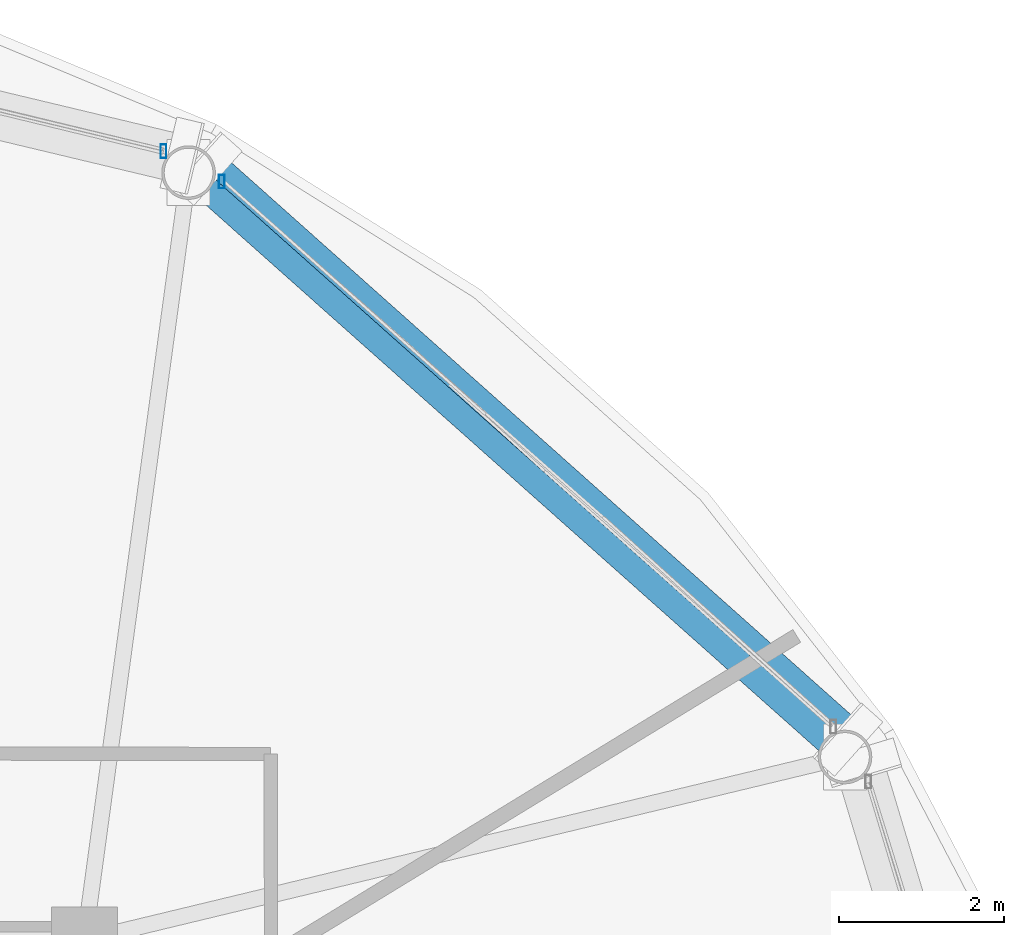
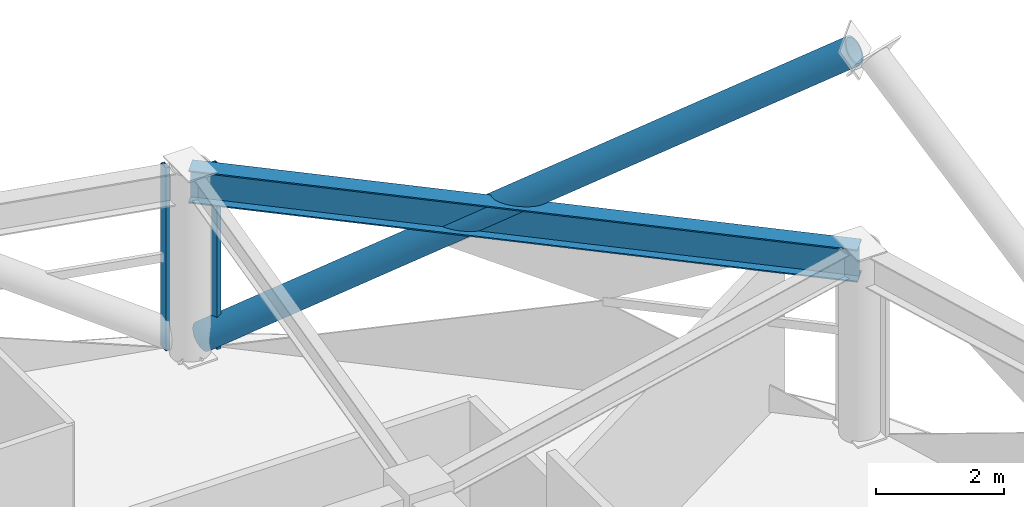
# One storey, part 19 of 28: 3 members, 1 beam, 2 elements without a shape of their own.
"""IFC4 building model written with IfcOpenShell, lengths in metres."""

import ifcopenshell
import ifcopenshell.guid

model = None  # the IFC model being written
_history = None  # IfcOwnerHistory: only IFC2X3 demands one
_inside = {}  # id of a spatial element -> (the spatial element, [elements in it])
_under = {}  # id of a project, library or spatial element -> (it, [spatial elements below it])
_declared = {}  # id of a project -> (the project, [libraries it declares])
_typed = {}  # id of a type object -> (the type object, [elements of that type])
_made_of = {}  # id of a material, layer set ... -> (it, [elements and type objects made of it])


def new_model(schema):
    """Start an empty IFC model of exactly this schema.

    Asked for "IFC4X3", IfcOpenShell would pick the latest addendum, in which some entities
    have other attributes; the version numbers below select the first issue.
    IFC2X3 requires an IfcOwnerHistory on every rooted entity: one is made here for all.
    """
    global model, _history
    if schema == "IFC4X3":
        model = ifcopenshell.file(schema_version=(4, 3, 0, 0))
    else:
        model = ifcopenshell.file(schema=schema)
    _inside.clear()
    _under.clear()
    _declared.clear()
    _typed.clear()
    _made_of.clear()
    _history = None
    if model.schema == "IFC2X3":
        org = make("IfcOrganization", Name="unknown")
        user = make(
            "IfcPersonAndOrganization",
            ThePerson=make("IfcPerson", FamilyName="unknown"),
            TheOrganization=org,
        )
        app = make(
            "IfcApplication",
            ApplicationDeveloper=org,
            Version="unknown",
            ApplicationFullName="unknown",
            ApplicationIdentifier="unknown",
        )
        _history = make(
            "IfcOwnerHistory",
            OwningUser=user,
            OwningApplication=app,
            ChangeAction="ADDED",
            CreationDate=0,
        )
    return model


def make(cls, **values):
    """One entity of the class cls with the attributes given. An attribute that is None is left unset."""
    return model.create_entity(
        cls, **{name: value for name, value in values.items() if value is not None}
    )


def rooted(cls, **values):
    """An entity with a GlobalId (a new one), such as an element, a storey or a relation."""
    return make(cls, GlobalId=ifcopenshell.guid.new(), OwnerHistory=_history, **values)


def si_unit(unit_type, name, prefix=None):
    """IfcSIUnit, for example si_unit("LENGTHUNIT", "METRE", prefix="MILLI")."""
    return make("IfcSIUnit", UnitType=unit_type, Prefix=prefix, Name=name)


def assignment(units):
    """IfcUnitAssignment: the units of a project."""
    return None if units is None else make("IfcUnitAssignment", Units=units)


def point(xyz):
    """IfcCartesianPoint."""
    return None if xyz is None else make("IfcCartesianPoint", Coordinates=xyz)


def direction(xyz):
    """IfcDirection."""
    return None if xyz is None else make("IfcDirection", DirectionRatios=xyz)


def frame(location, z_axis=None, x_axis=None):
    """IfcAxis2Placement3D, a coordinate frame: its origin and axes. An axis left out is left unset."""
    return make(
        "IfcAxis2Placement3D",
        Location=point(location),
        Axis=direction(z_axis),
        RefDirection=direction(x_axis),
    )


def frame_2d(location, x_axis=None):
    """IfcAxis2Placement2D, a coordinate frame in the plane: its origin and x axis."""
    return make(
        "IfcAxis2Placement2D", Location=point(location), RefDirection=direction(x_axis)
    )


def origin():
    """The frame at (0, 0, 0) with its axes left unset."""
    return frame((0.0, 0.0, 0.0))


def origin_2d():
    """The frame at (0, 0) in the plane with its x axis left unset."""
    return frame_2d((0.0, 0.0))


def place(relative_to, where):
    """IfcLocalPlacement: puts the frame where relative to a parent placement (None: the world)."""
    return make(
        "IfcLocalPlacement", PlacementRelTo=relative_to, RelativePlacement=where
    )


def context(
    kind, dimensions, precision=None, world=None, true_north=None, identifier=None
):
    """IfcGeometricRepresentationContext, for example the 3D "Model" context."""
    return make(
        "IfcGeometricRepresentationContext",
        ContextIdentifier=identifier,
        ContextType=kind,
        CoordinateSpaceDimension=dimensions,
        Precision=precision,
        WorldCoordinateSystem=world,
        TrueNorth=true_north,
    )


def subcontext(parent, identifier, kind, view, scale=None):
    """IfcGeometricRepresentationSubContext, for example "Body" below "Model"."""
    return make(
        "IfcGeometricRepresentationSubContext",
        ContextIdentifier=identifier,
        ContextType=kind,
        ParentContext=parent,
        TargetScale=scale,
        TargetView=view,
    )


def project(units=None, contexts=None):
    """IfcProject with its units and contexts."""
    return rooted(
        "IfcProject",
        Name="project",
        RepresentationContexts=contexts,
        UnitsInContext=assignment(units),
    )


def spatial(cls, under=None, at=None, **own):
    """A site, building, storey or space (cls), placed at a placement, below another one or the project."""
    s = rooted(cls, ObjectPlacement=at, **own)
    if under is not None:
        _under.setdefault(under.id(), (under, []))[1].append(s)
    return s


def profile(cls, at=None, kind="AREA", **sizes):
    """A parametric profile (cls). Its sizes go by their IFC names, for example OverallWidth=200.0."""
    return make(cls, ProfileType=kind, Position=at, **sizes)


def hollow_rectangle(**sizes):
    """IfcRectangleHollowProfileDef."""
    return profile("IfcRectangleHollowProfileDef", **sizes)


def hollow_circle(**sizes):
    """IfcCircleHollowProfileDef."""
    return profile("IfcCircleHollowProfileDef", **sizes)


def i_section(**sizes):
    """IfcIShapeProfileDef."""
    return profile("IfcIShapeProfileDef", **sizes)


def extrude(swept, where, along, depth):
    """IfcExtrudedAreaSolid: the profile swept, set in the frame where, extruded along a direction by depth."""
    return make(
        "IfcExtrudedAreaSolid",
        SweptArea=swept,
        Position=where,
        ExtrudedDirection=direction(along),
        Depth=depth,
    )


def shape(context_of_items, identifier, shape_type, items):
    """IfcShapeRepresentation: the items that make up one representation, for example the "Body"."""
    return make(
        "IfcShapeRepresentation",
        ContextOfItems=context_of_items,
        RepresentationIdentifier=identifier,
        RepresentationType=shape_type,
        Items=items,
    )


def material(Name=None, Category=None):
    """IfcMaterial."""
    return make("IfcMaterial", Name=Name, Category=Category)


def layer(
    of_material, thickness, ventilated=None, Name=None, Category=None, Priority=None
):
    """IfcMaterialLayer: one layer of a wall or slab, of a material (None: an air gap)."""
    return make(
        "IfcMaterialLayer",
        Material=of_material,
        LayerThickness=thickness,
        IsVentilated=ventilated,
        Name=Name,
        Category=Category,
        Priority=Priority,
    )


def layer_set(layers, Name=None):
    """IfcMaterialLayerSet."""
    return make("IfcMaterialLayerSet", MaterialLayers=layers, LayerSetName=Name)


def material_profile(
    of_material, cross_section, Name=None, Category=None, Priority=None
):
    """IfcMaterialProfile: a cross section and its material."""
    return make(
        "IfcMaterialProfile",
        Name=Name,
        Material=of_material,
        Profile=cross_section,
        Priority=Priority,
        Category=Category,
    )


def profile_set(profiles, Name=None, composite=None):
    """IfcMaterialProfileSet."""
    return make(
        "IfcMaterialProfileSet",
        Name=Name,
        MaterialProfiles=profiles,
        CompositeProfile=composite,
    )


def made_of(thing, what):
    """Note that an element or type object is made of a material, layer set ...; save() writes the relation."""
    if what is not None:
        _made_of.setdefault(what.id(), (what, []))[1].append(thing)
    return thing


def type_object(cls, material=None, **own):
    """A type object (cls), such as IfcWallType, which elements share."""
    return made_of(rooted(cls, **own), material)


def element(
    cls,
    number,
    at=None,
    inside=None,
    cuts=None,
    type_object=None,
    material=None,
    context=None,
    identifier="Body",
    shape_type=None,
    held_by="IfcProductDefinitionShape",
    body=None,
    shapes=None,
    **own,
):
    """One element of the class cls, such as IfcWall. Its Tag is "e" and its number.

    at: its placement. inside: the storey or other place that contains it. cuts: it is an
    opening in that element (IfcRelVoidsElement). A single representation is given by context,
    identifier, shape_type and body (its items); several are given by shapes. held_by: the class
    of the entity that holds the representations. save() writes the other relations.
    """
    e = rooted(cls, Tag="e%d" % number, ObjectPlacement=at, **own)
    if body is not None:
        shapes = [shape(context, identifier, shape_type, body)]
    if shapes is not None:
        e.Representation = make(held_by, Representations=shapes)
    if inside is not None:
        _inside.setdefault(inside.id(), (inside, []))[1].append(e)
    if cuts is not None:
        rooted(
            "IfcRelVoidsElement", RelatingBuildingElement=cuts, RelatedOpeningElement=e
        )
    if type_object is not None:
        _typed.setdefault(type_object.id(), (type_object, []))[1].append(e)
    return made_of(e, material)


def aggregate(whole, parts):
    """IfcRelAggregates: a whole, such as a stair, and the parts it consists of."""
    return rooted("IfcRelAggregates", RelatingObject=whole, RelatedObjects=parts)


def save(model, path):
    """Write the relations noted so far, then the file.

    IfcRelAggregates (storeys below a building ...), IfcRelContainedInSpatialStructure (elements
    in a storey), IfcRelDefinesByType, IfcRelAssociatesMaterial and IfcRelDeclares: one each for
    every whole, place, type object, material and project.
    """
    for whole, parts in _under.values():
        aggregate(whole, parts)
    for where, things in _inside.values():
        rooted(
            "IfcRelContainedInSpatialStructure",
            RelatedElements=things,
            RelatingStructure=where,
        )
    for kind, things in _typed.values():
        rooted("IfcRelDefinesByType", RelatedObjects=things, RelatingType=kind)
    for what, things in _made_of.values():
        rooted("IfcRelAssociatesMaterial", RelatedObjects=things, RelatingMaterial=what)
    for by, libraries in _declared.values():
        rooted("IfcRelDeclares", RelatingContext=by, RelatedDefinitions=libraries)
    model.write(path)


model = new_model("IFC4")

# Units and contexts
model_context = context("Model", 3, precision=1e-05, world=origin(), true_north=direction((0.0, 1.0)))
body_context = subcontext(model_context, "Body", "Model", "MODEL_VIEW")
ifc_project = project(units=[si_unit("LENGTHUNIT", "METRE"), si_unit("AREAUNIT", "SQUARE_METRE"), si_unit("VOLUMEUNIT", "CUBIC_METRE"), si_unit("PLANEANGLEUNIT", "RADIAN"), si_unit("MASSUNIT", "GRAM", prefix="KILO")], contexts=[model_context])

# Site, building, storey
site_placement = place(None, origin())
site = spatial("IfcSite", under=ifc_project, at=site_placement, CompositionType="ELEMENT")
building_placement = place(site_placement, origin())
building = spatial("IfcBuilding", under=site, at=building_placement, Name="Vantalir Tower", CompositionType="ELEMENT")
storey_placement = place(building_placement, frame((0.0, 0.0, 242.39990234375)))
storey = spatial("IfcBuildingStorey", under=building, at=storey_placement, Name="L61", CompositionType="ELEMENT", Elevation=242.39990234375)

# Beam
ifc_material_1 = material(Name="Steel S460", Category="steel")
ifc_material_profile_1 = material_profile(ifc_material_1, i_section(OverallWidth=0.306884765625, OverallDepth=0.6201171875, WebThickness=0.01416015625, FlangeThickness=0.023681640625, at=origin_2d()), Name="Steel S460")
ifc_profile_set_1 = profile_set([ifc_material_profile_1], Name="Steel S460")
beam_type = type_object("IfcBeamType", Name="BM-RG-610x305", PredefinedType="USERDEFINED", material=ifc_profile_set_1)
beam_placement = place(storey_placement, frame((50.30810546875, 34.666015625, 3.260009765625), z_axis=(-0.746899058065, 0.664937438456, 0.0), x_axis=(-0.664937438456, -0.746899058065, 0.0)))
element("IfcBeam", 1, at=beam_placement, inside=storey, type_object=beam_type, Name="L61 Circumferential Ring Girder 02", ObjectType="GIRDER", PredefinedType="USERDEFINED", context=body_context, shape_type="SweptSolid", body=[
    extrude(i_section(OverallWidth=0.306884765625, OverallDepth=0.6201171875, WebThickness=0.01416015625, FlangeThickness=0.023681640625, at=origin_2d()), origin(), (0.0, 0.0, 1.0), 10.64306640625),
])

# Curtain wall, member
ifc_material_2 = material(Name="Champagne-silver PVDF aluminium and double-silver Low-E glass", Category="aluminium")
ifc_layer = layer(ifc_material_2, 0.2099609375)
ifc_layer_set = layer_set([ifc_layer], Name="Champagne-silver PVDF aluminium and double-silver Low-E glass")
curtain_wall_type = type_object("IfcCurtainWallType", Name="CW-DIAMOND-Z3", PredefinedType="USERDEFINED", material=ifc_layer_set)
curtain_wall_1_placement = place(storey_placement, origin())
curtain_wall_1 = element("IfcCurtainWall", 2, at=curtain_wall_1_placement, inside=storey, type_object=curtain_wall_type, Name="L61 Quilted Pyramid-Diamond Curtain Wall S02", ObjectType="UNITISED CURTAIN WALL", PredefinedType="USERDEFINED")
ifc_material_3 = material(Name="Champagne-silver PVDF aluminium 6063-T6", Category="aluminium")
ifc_material_profile_2 = material_profile(ifc_material_3, hollow_rectangle(XDim=0.070068359375, YDim=0.1650390625, WallThickness=0.00390625, at=origin_2d()), Name="Champagne-silver PVDF aluminium 6063-T6")
ifc_profile_set_2 = profile_set([ifc_material_profile_2], Name="Champagne-silver PVDF aluminium 6063-T6")
member_type_1 = type_object("IfcMemberType", Name="CWM-165x70", PredefinedType="MULLION", material=ifc_profile_set_2)
member_1_placement = place(storey_placement, frame((42.760009765625, 41.634033203125, 0.045166015625), z_axis=(0.0, 0.0, 1.0), x_axis=(1.0, 0.0, 0.0)))
member_1 = element("IfcMember", 3, at=member_1_placement, type_object=member_type_1, Name="CW-L61-S02 Mullion 2", PredefinedType="MULLION", context=body_context, shape_type="SweptSolid", body=[
    extrude(hollow_rectangle(XDim=0.070068359375, YDim=0.1650390625, WallThickness=0.00390625, at=origin_2d()), origin(), (0.0, 0.0, 1.0), 3.47998046875),
])
aggregate(curtain_wall_1, [member_1])

curtain_wall_2_placement = place(storey_placement, origin())
curtain_wall_2 = element("IfcCurtainWall", 4, at=curtain_wall_2_placement, inside=storey, type_object=curtain_wall_type, Name="L61 Quilted Pyramid-Diamond Curtain Wall S03", ObjectType="UNITISED CURTAIN WALL", PredefinedType="USERDEFINED")
member_2_placement = place(storey_placement, frame((42.054931640625, 42.001953125, 0.045166015625), z_axis=(0.0, 0.0, 1.0), x_axis=(1.0, 0.0, 0.0)))
member_2 = element("IfcMember", 5, at=member_2_placement, type_object=member_type_1, Name="CW-L61-S03 Mullion 1", PredefinedType="MULLION", context=body_context, shape_type="SweptSolid", body=[
    extrude(hollow_rectangle(XDim=0.070068359375, YDim=0.1650390625, WallThickness=0.00390625, at=origin_2d()), origin(), (0.0, 0.0, 1.0), 3.47998046875),
])
aggregate(curtain_wall_2, [member_2])

# Member
ifc_material_profile_3 = material_profile(ifc_material_1, hollow_circle(Radius=0.25, WallThickness=0.031982421875, at=origin_2d()), Name="Steel S460")
ifc_profile_set_3 = profile_set([ifc_material_profile_3], Name="Steel S460")
member_type_2 = type_object("IfcMemberType", Name="MEM-DB-500x32", PredefinedType="BRACE", material=ifc_profile_set_3)
member_3_placement = place(storey_placement, frame((42.591064453125, 41.784912109375, 0.2021484375), z_axis=(0.621182231452, -0.553567496238, 0.554703220143), x_axis=(0.66530694266, 0.746569937814, 0.0)))
element("IfcMember", 6, at=member_3_placement, inside=storey, type_object=member_type_2, Name="L61 Perimeter S460 Diagrid Brace R07R", PredefinedType="BRACE", context=body_context, shape_type="SweptSolid", body=[
    extrude(hollow_circle(Radius=0.25, WallThickness=0.031982421875, at=origin_2d()), origin(), (0.0, 0.0, 1.0), 12.468017578125),
])

save(model, "model.ifc")
